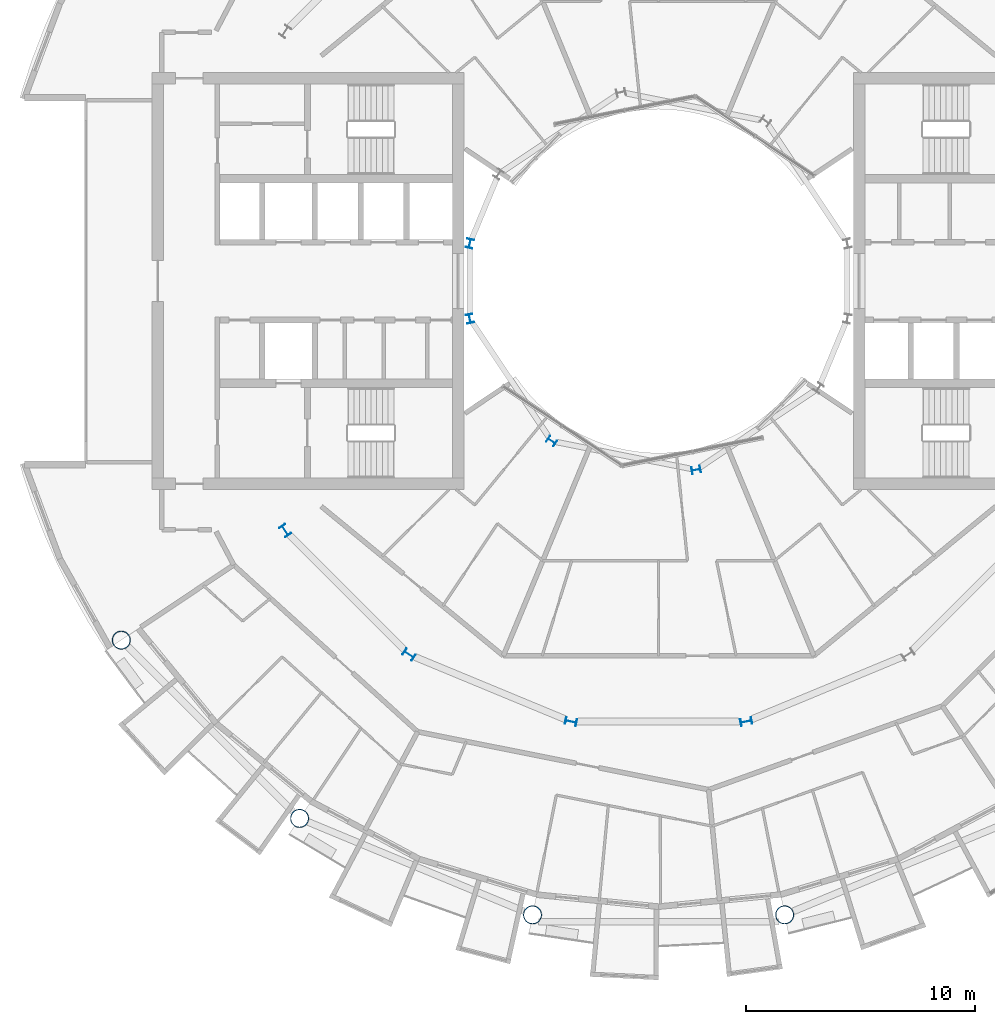
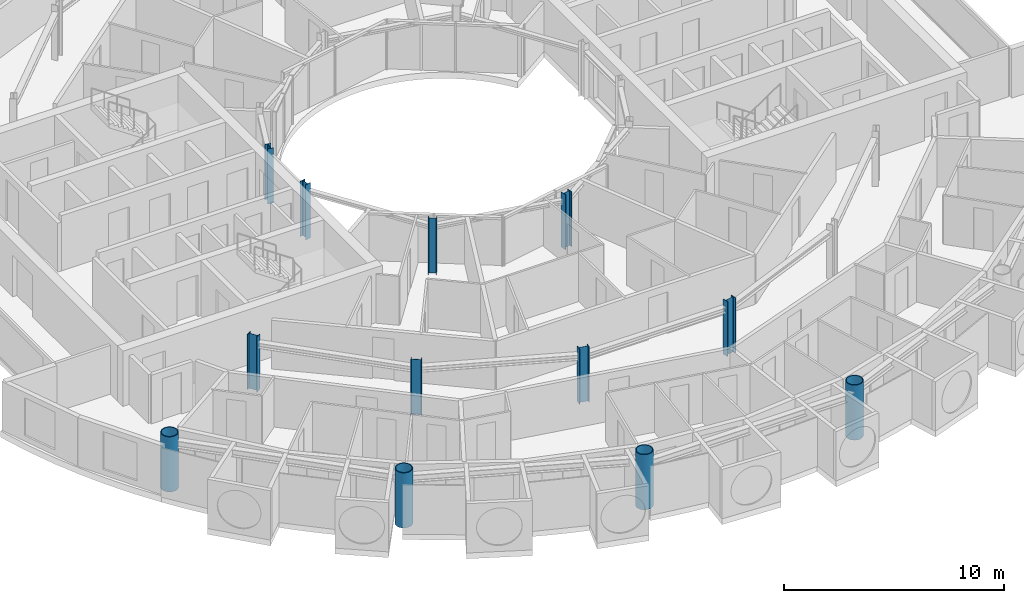
# One storey, part 1 of 28: 12 columns.
"""IFC4 building model written with IfcOpenShell, lengths in metres."""

from ifc_helpers import new_model, si_unit, direction, frame, origin, origin_2d, place, context, subcontext, project, spatial, hollow_circle, i_section, extrude, material, material_profile, profile_set, type_object, element, save


model = new_model("IFC4")

# Units and contexts
model_context = context("Model", 3, precision=1e-05, world=origin(), true_north=direction((0.0, 1.0)))
body_context = subcontext(model_context, "Body", "Model", "MODEL_VIEW")
ifc_project = project(units=[si_unit("LENGTHUNIT", "METRE"), si_unit("AREAUNIT", "SQUARE_METRE"), si_unit("VOLUMEUNIT", "CUBIC_METRE"), si_unit("PLANEANGLEUNIT", "RADIAN"), si_unit("MASSUNIT", "GRAM", prefix="KILO")], contexts=[model_context])

# Site, building, storey
site_placement = place(None, origin())
site = spatial("IfcSite", under=ifc_project, at=site_placement, CompositionType="ELEMENT")
building_placement = place(site_placement, origin())
building = spatial("IfcBuilding", under=site, at=building_placement, Name="Maasbend Ring Residences", CompositionType="ELEMENT")
storey_placement = place(building_placement, frame((0.0, 0.0, 173.800048828125)))
storey = spatial("IfcBuildingStorey", under=building, at=storey_placement, Name="L50", CompositionType="ELEMENT", Elevation=173.800048828125)

# Columns
ifc_material_1 = material(Name="Composite concrete-filled steel tube S460NH / C80/95", Category="concrete")
ifc_material_profile_1 = material_profile(ifc_material_1, hollow_circle(Radius=0.406494140625, WallThickness=0.0400390625, at=origin_2d()), Name="Composite tube column CHS 813x40")
ifc_profile_set_1 = profile_set([ifc_material_profile_1], Name="Composite concrete-filled steel tube S460NH / C80/95")
column_type_1 = type_object("IfcColumnType", Name="Composite tube column CHS 813x40", PredefinedType="COLUMN", material=ifc_profile_set_1)
for number, where, z_axis, x_axis, name in (
    (1, (-23.447509765625, -15.6669921875, 0.0), (0.0, 0.0, 1.0), (1.0, 0.0, 0.0), "Outer column R10"),
    (2, (-15.6669921875, -23.447509765625, 0.0), (0.0, 0.0, 1.0), (1.0, 0.0, 0.0), "Outer column R11"),
    (3, (-5.50146484375, -27.658203125, 0.0), (0.0, 0.0, 1.0), (1.0, 0.0, 0.0), "Outer column R12"),
    (4, (5.50146484375, -27.658203125, 0.0), (0.0, 0.0, 1.0), (1.0, 0.0, 0.0), "Outer column R13"),
):
    element("IfcColumn", number, at=place(storey_placement, frame(where, z_axis=z_axis, x_axis=x_axis)), inside=storey, type_object=column_type_1, Name=name, PredefinedType="COLUMN", context=body_context, shape_type="SweptSolid", body=[
        extrude(hollow_circle(Radius=0.406494140625, WallThickness=0.0400390625, at=origin_2d()), origin(), (0.0, 0.0, 1.0), 3.050048828125),
    ])
ifc_material_2 = material(Name="Steel S355J2", Category="steel")
ifc_material_profile_2 = material_profile(ifc_material_2, i_section(OverallWidth=0.300048828125, OverallDepth=0.389892578125, WebThickness=0.010986328125, FlangeThickness=0.01904296875, FilletRadius=0.027099609375, at=origin_2d()), Name="HEA 400")
ifc_profile_set_2 = profile_set([ifc_material_profile_2], Name="Steel S355J2")
column_type_2 = type_object("IfcColumnType", Name="Steel column HEA 400", PredefinedType="COLUMN", material=ifc_profile_set_2)
for number, where, z_axis, x_axis, name in (
    (5, (-8.238525390625, 1.638916015625, 0.0), (0.0, 0.0, 1.0), (-0.980785280403, 0.195090322016, 0.0), "Well ring column R8"),
    (6, (-8.238525390625, -1.638916015625, 0.0), (0.0, 0.0, 1.0), (-0.980785280403, -0.195090322016, 0.0), "Well ring column R9"),
    (7, (-4.666748046875, -6.984375, 0.0), (0.0, 0.0, 1.0), (-0.55557023302, -0.831469612303, 0.0), "Well ring column R11"),
    (8, (1.638916015625, -8.238525390625, 0.0), (0.0, 0.0, 1.0), (0.195090322016, -0.980785280403, 0.0), "Well ring column R13"),
):
    element("IfcColumn", number, at=place(storey_placement, frame(where, z_axis=z_axis, x_axis=x_axis)), inside=storey, type_object=column_type_2, Name=name, PredefinedType="COLUMN", context=body_context, shape_type="SweptSolid", body=[
        extrude(i_section(OverallWidth=0.300048828125, OverallDepth=0.389892578125, WebThickness=0.010986328125, FlangeThickness=0.01904296875, FilletRadius=0.027099609375, at=origin_2d()), origin(), (0.0, 0.0, 1.0), 3.050048828125),
    ])
ifc_material_3 = material(Name="Steel S355J2", Category="steel")
ifc_material_profile_3 = material_profile(ifc_material_3, i_section(OverallWidth=0.300048828125, OverallDepth=0.5, WebThickness=0.014404296875, FlangeThickness=0.028076171875, FilletRadius=0.027099609375, at=origin_2d()), Name="HEB 500")
ifc_profile_set_3 = profile_set([ifc_material_profile_3], Name="Steel S355J2")
column_type_3 = type_object("IfcColumnType", Name="Steel column HEB 500", PredefinedType="COLUMN", material=ifc_profile_set_3)
for number, where, z_axis, x_axis, name in (
    (9, (-16.296875, -10.88916015625, 0.0), (0.0, 0.0, 1.0), (-0.831469612303, -0.55557023302, 0.0), "Corridor ring column R10"),
    (10, (-10.88916015625, -16.296875, 0.0), (0.0, 0.0, 1.0), (-0.55557023302, -0.831469612303, 0.0), "Corridor ring column R11"),
    (11, (-3.82373046875, -19.223388671875, 0.0), (0.0, 0.0, 1.0), (-0.195090322016, -0.980785280403, 0.0), "Corridor ring column R12"),
    (12, (3.82373046875, -19.223388671875, 0.0), (0.0, 0.0, 1.0), (0.195090322016, -0.980785280403, 0.0), "Corridor ring column R13"),
):
    element("IfcColumn", number, at=place(storey_placement, frame(where, z_axis=z_axis, x_axis=x_axis)), inside=storey, type_object=column_type_3, Name=name, PredefinedType="COLUMN", context=body_context, shape_type="SweptSolid", body=[
        extrude(i_section(OverallWidth=0.300048828125, OverallDepth=0.5, WebThickness=0.014404296875, FlangeThickness=0.028076171875, FilletRadius=0.027099609375, at=origin_2d()), origin(), (0.0, 0.0, 1.0), 3.050048828125),
    ])

save(model, "model.ifc")
